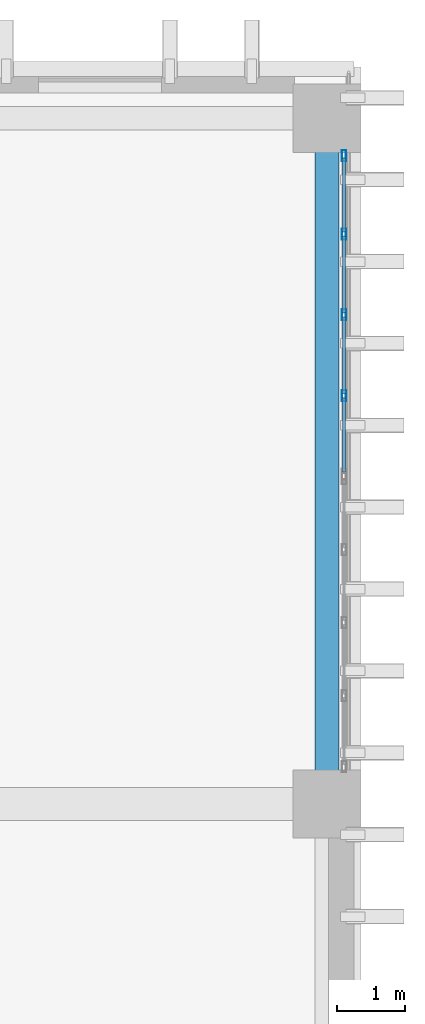
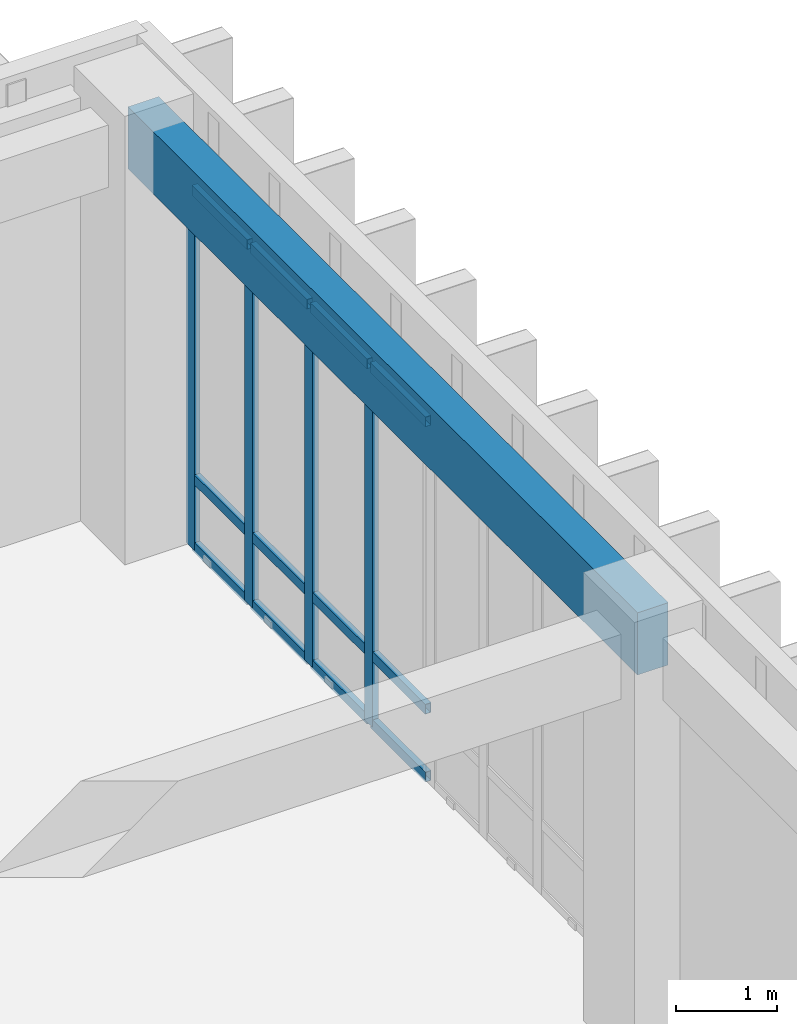
# One storey, part 87 of 134: 16 members, 1 beam, 1 element without a shape of its own.
"""IFC4 building model written with IfcOpenShell, lengths in metres."""

from ifc_helpers import new_model, si_unit, direction, frame, origin, origin_2d, place, context, subcontext, project, spatial, rectangle, hollow_rectangle, extrude, material, layer, layer_set, material_profile, profile_set, type_object, element, aggregate, save


model = new_model("IFC4")

# Units and contexts
model_context = context("Model", 3, precision=1e-05, world=origin(), true_north=direction((0.0, 1.0)))
body_context = subcontext(model_context, "Body", "Model", "MODEL_VIEW")
ifc_project = project(units=[si_unit("LENGTHUNIT", "METRE"), si_unit("AREAUNIT", "SQUARE_METRE"), si_unit("VOLUMEUNIT", "CUBIC_METRE"), si_unit("PLANEANGLEUNIT", "RADIAN"), si_unit("MASSUNIT", "GRAM", prefix="KILO")], contexts=[model_context])

# Site, building, storey
site_placement = place(None, origin())
site = spatial("IfcSite", under=ifc_project, at=site_placement, CompositionType="ELEMENT")
building_placement = place(site_placement, origin())
building = spatial("IfcBuilding", under=site, at=building_placement, Name="Nakhvara Creek Congress Hotel", CompositionType="ELEMENT")
storey_placement = place(building_placement, frame((0.0, 0.0, 6.0)))
storey = spatial("IfcBuildingStorey", under=building, at=storey_placement, Name="L01", CompositionType="ELEMENT", Elevation=6.0)

# Beam
ifc_material_1 = material(Name="Concrete C40/50", Category="concrete")
ifc_material_profile_1 = material_profile(ifc_material_1, rectangle(XDim=0.35009765625, YDim=0.75, at=origin_2d()), Name="RC-SPANDREL 350x750", Category="LoadBearing")
ifc_profile_set_1 = profile_set([ifc_material_profile_1], Name="Concrete C40/50")
beam_type = type_object("IfcBeamType", Name="BM-SPN-350X750", PredefinedType="SPANDREL", material=ifc_profile_set_1)
beam_placement = place(storey_placement, frame((179.35009765625, 115.199951171875, 4.72509765625), z_axis=(0.0, 1.0, 0.0), x_axis=(-1.0, 0.0, 0.0)))
element("IfcBeam", 1, at=beam_placement, inside=storey, type_object=beam_type, Name="Beam SP1-L01-1361", PredefinedType="SPANDREL", context=body_context, shape_type="SweptSolid", body=[
    extrude(rectangle(XDim=0.35009765625, YDim=0.75, at=origin_2d()), origin(), (0.0, 0.0, 1.0), 10.050048828125),
])

# Curtain wall, members
ifc_material_2 = material(Name="Bronze-anodised aluminium AW-6063-T6 and double-silver low-E glass", Category="aluminium")
ifc_layer = layer(ifc_material_2, 0.199951171875)
ifc_layer_set = layer_set([ifc_layer], Name="Bronze-anodised aluminium AW-6063-T6 and double-silver low-E glass")
curtain_wall_type = type_object("IfcCurtainWallType", Name="CW-HTL-UNIT", PredefinedType="USERDEFINED", material=ifc_layer_set)
curtain_wall_placement = place(storey_placement, origin())
curtain_wall = element("IfcCurtainWall", 2, at=curtain_wall_placement, inside=storey, type_object=curtain_wall_type, Name="Curtain Wall CW127", ObjectType="UNITISED", PredefinedType="USERDEFINED")
ifc_material_3 = material(Name="Bronze-anodised aluminium AW-6063-T6", Category="aluminium")
ifc_material_profile_2 = material_profile(ifc_material_3, hollow_rectangle(XDim=0.06494140625, YDim=0.159912109375, WallThickness=0.00390625, at=origin_2d()), Name="ALU-MULL 65x160x4", Category="LoadBearing")
ifc_profile_set_2 = profile_set([ifc_material_profile_2], Name="Bronze-anodised aluminium AW-6063-T6")
member_type_1 = type_object("IfcMemberType", Name="CW-MULL-160", PredefinedType="MULLION", material=ifc_profile_set_2)
member_1_placement = place(storey_placement, frame((179.60009765625, 124.702392578125, 0.0), z_axis=(0.0, 0.0, 1.0), x_axis=(1.0, 0.0, 0.0)))
member_1 = element("IfcMember", 3, at=member_1_placement, type_object=member_type_1, Name="CW127 mullion 1", PredefinedType="MULLION", context=body_context, shape_type="SweptSolid", body=[
    extrude(hollow_rectangle(XDim=0.06494140625, YDim=0.159912109375, WallThickness=0.00390625, at=origin_2d()), origin(), (0.0, 0.0, 1.0), 4.342041015625),
])
member_2_placement = place(storey_placement, frame((179.60009765625, 123.55126953125, 0.0), z_axis=(0.0, 0.0, 1.0), x_axis=(1.0, 0.0, 0.0)))
member_2 = element("IfcMember", 4, at=member_2_placement, type_object=member_type_1, Name="CW127 mullion 2", PredefinedType="MULLION", context=body_context, shape_type="SweptSolid", body=[
    extrude(hollow_rectangle(XDim=0.06494140625, YDim=0.159912109375, WallThickness=0.00390625, at=origin_2d()), origin(), (0.0, 0.0, 1.0), 4.342041015625),
])
member_3_placement = place(storey_placement, frame((179.60009765625, 122.367431640625, 0.0), z_axis=(0.0, 0.0, 1.0), x_axis=(1.0, 0.0, 0.0)))
member_3 = element("IfcMember", 5, at=member_3_placement, type_object=member_type_1, Name="CW127 mullion 3", PredefinedType="MULLION", context=body_context, shape_type="SweptSolid", body=[
    extrude(hollow_rectangle(XDim=0.06494140625, YDim=0.159912109375, WallThickness=0.00390625, at=origin_2d()), origin(), (0.0, 0.0, 1.0), 4.342041015625),
])
member_4_placement = place(storey_placement, frame((179.60009765625, 121.183837890625, 0.0), z_axis=(0.0, 0.0, 1.0), x_axis=(1.0, 0.0, 0.0)))
member_4 = element("IfcMember", 6, at=member_4_placement, type_object=member_type_1, Name="CW127 mullion 4", PredefinedType="MULLION", context=body_context, shape_type="SweptSolid", body=[
    extrude(hollow_rectangle(XDim=0.06494140625, YDim=0.159912109375, WallThickness=0.00390625, at=origin_2d()), origin(), (0.0, 0.0, 1.0), 4.342041015625),
])
ifc_material_profile_3 = material_profile(ifc_material_3, hollow_rectangle(XDim=0.06494140625, YDim=0.1201171875, WallThickness=0.00390625, at=origin_2d()), Name="ALU-TRAN 65x120x4", Category="LoadBearing")
ifc_profile_set_3 = profile_set([ifc_material_profile_3], Name="Bronze-anodised aluminium AW-6063-T6")
member_type_2 = type_object("IfcMemberType", Name="CW-TRAN-120", PredefinedType="USERDEFINED", material=ifc_profile_set_3)
member_5_placement = place(storey_placement, frame((179.60009765625, 124.669921875, 0.032470703125), z_axis=(0.0, -1.0, 0.0), x_axis=(1.0, 0.0, 0.0)))
member_5 = element("IfcMember", 7, at=member_5_placement, type_object=member_type_2, Name="CW127 transom 1.1", ObjectType="TRANSOM", PredefinedType="USERDEFINED", context=body_context, shape_type="SweptSolid", body=[
    extrude(hollow_rectangle(XDim=0.06494140625, YDim=0.1201171875, WallThickness=0.00390625, at=origin_2d()), origin(), (0.0, 0.0, 1.0), 1.086181640625),
])
member_6_placement = place(storey_placement, frame((179.60009765625, 124.669921875, 0.85009765625), z_axis=(0.0, -1.0, 0.0), x_axis=(1.0, 0.0, 0.0)))
member_6 = element("IfcMember", 8, at=member_6_placement, type_object=member_type_2, Name="CW127 transom 1.2", ObjectType="TRANSOM", PredefinedType="USERDEFINED", context=body_context, shape_type="SweptSolid", body=[
    extrude(hollow_rectangle(XDim=0.06494140625, YDim=0.1201171875, WallThickness=0.00390625, at=origin_2d()), origin(), (0.0, 0.0, 1.0), 1.086181640625),
])
member_7_placement = place(storey_placement, frame((179.60009765625, 124.669921875, 4.3095703125), z_axis=(0.0, -1.0, 0.0), x_axis=(1.0, 0.0, 0.0)))
member_7 = element("IfcMember", 9, at=member_7_placement, type_object=member_type_2, Name="CW127 transom 1.3", ObjectType="TRANSOM", PredefinedType="USERDEFINED", context=body_context, shape_type="SweptSolid", body=[
    extrude(hollow_rectangle(XDim=0.06494140625, YDim=0.1201171875, WallThickness=0.00390625, at=origin_2d()), origin(), (0.0, 0.0, 1.0), 1.086181640625),
])
member_8_placement = place(storey_placement, frame((179.60009765625, 123.518798828125, 0.032470703125), z_axis=(0.0, -1.0, 0.0), x_axis=(1.0, 0.0, 0.0)))
member_8 = element("IfcMember", 10, at=member_8_placement, type_object=member_type_2, Name="CW127 transom 2.1", ObjectType="TRANSOM", PredefinedType="USERDEFINED", context=body_context, shape_type="SweptSolid", body=[
    extrude(hollow_rectangle(XDim=0.06494140625, YDim=0.1201171875, WallThickness=0.00390625, at=origin_2d()), origin(), (0.0, 0.0, 1.0), 1.118896484375),
])
member_9_placement = place(storey_placement, frame((179.60009765625, 123.518798828125, 0.85009765625), z_axis=(0.0, -1.0, 0.0), x_axis=(1.0, 0.0, 0.0)))
member_9 = element("IfcMember", 11, at=member_9_placement, type_object=member_type_2, Name="CW127 transom 2.2", ObjectType="TRANSOM", PredefinedType="USERDEFINED", context=body_context, shape_type="SweptSolid", body=[
    extrude(hollow_rectangle(XDim=0.06494140625, YDim=0.1201171875, WallThickness=0.00390625, at=origin_2d()), origin(), (0.0, 0.0, 1.0), 1.118896484375),
])
member_10_placement = place(storey_placement, frame((179.60009765625, 123.518798828125, 4.3095703125), z_axis=(0.0, -1.0, 0.0), x_axis=(1.0, 0.0, 0.0)))
member_10 = element("IfcMember", 12, at=member_10_placement, type_object=member_type_2, Name="CW127 transom 2.3", ObjectType="TRANSOM", PredefinedType="USERDEFINED", context=body_context, shape_type="SweptSolid", body=[
    extrude(hollow_rectangle(XDim=0.06494140625, YDim=0.1201171875, WallThickness=0.00390625, at=origin_2d()), origin(), (0.0, 0.0, 1.0), 1.118896484375),
])
member_11_placement = place(storey_placement, frame((179.60009765625, 122.3349609375, 0.032470703125), z_axis=(0.0, -1.0, 0.0), x_axis=(1.0, 0.0, 0.0)))
member_11 = element("IfcMember", 13, at=member_11_placement, type_object=member_type_2, Name="CW127 transom 3.1", ObjectType="TRANSOM", PredefinedType="USERDEFINED", context=body_context, shape_type="SweptSolid", body=[
    extrude(hollow_rectangle(XDim=0.06494140625, YDim=0.1201171875, WallThickness=0.00390625, at=origin_2d()), origin(), (0.0, 0.0, 1.0), 1.11865234375),
])
member_12_placement = place(storey_placement, frame((179.60009765625, 122.3349609375, 0.85009765625), z_axis=(0.0, -1.0, 0.0), x_axis=(1.0, 0.0, 0.0)))
member_12 = element("IfcMember", 14, at=member_12_placement, type_object=member_type_2, Name="CW127 transom 3.2", ObjectType="TRANSOM", PredefinedType="USERDEFINED", context=body_context, shape_type="SweptSolid", body=[
    extrude(hollow_rectangle(XDim=0.06494140625, YDim=0.1201171875, WallThickness=0.00390625, at=origin_2d()), origin(), (0.0, 0.0, 1.0), 1.11865234375),
])
member_13_placement = place(storey_placement, frame((179.60009765625, 122.3349609375, 4.3095703125), z_axis=(0.0, -1.0, 0.0), x_axis=(1.0, 0.0, 0.0)))
member_13 = element("IfcMember", 15, at=member_13_placement, type_object=member_type_2, Name="CW127 transom 3.3", ObjectType="TRANSOM", PredefinedType="USERDEFINED", context=body_context, shape_type="SweptSolid", body=[
    extrude(hollow_rectangle(XDim=0.06494140625, YDim=0.1201171875, WallThickness=0.00390625, at=origin_2d()), origin(), (0.0, 0.0, 1.0), 1.11865234375),
])
member_14_placement = place(storey_placement, frame((179.60009765625, 121.1513671875, 0.032470703125), z_axis=(0.0, -1.0, 0.0), x_axis=(1.0, 0.0, 0.0)))
member_14 = element("IfcMember", 16, at=member_14_placement, type_object=member_type_2, Name="CW127 transom 4.1", ObjectType="TRANSOM", PredefinedType="USERDEFINED", context=body_context, shape_type="SweptSolid", body=[
    extrude(hollow_rectangle(XDim=0.06494140625, YDim=0.1201171875, WallThickness=0.00390625, at=origin_2d()), origin(), (0.0, 0.0, 1.0), 1.08642578125),
])
member_15_placement = place(storey_placement, frame((179.60009765625, 121.1513671875, 0.85009765625), z_axis=(0.0, -1.0, 0.0), x_axis=(1.0, 0.0, 0.0)))
member_15 = element("IfcMember", 17, at=member_15_placement, type_object=member_type_2, Name="CW127 transom 4.2", ObjectType="TRANSOM", PredefinedType="USERDEFINED", context=body_context, shape_type="SweptSolid", body=[
    extrude(hollow_rectangle(XDim=0.06494140625, YDim=0.1201171875, WallThickness=0.00390625, at=origin_2d()), origin(), (0.0, 0.0, 1.0), 1.08642578125),
])
member_16_placement = place(storey_placement, frame((179.60009765625, 121.1513671875, 4.3095703125), z_axis=(0.0, -1.0, 0.0), x_axis=(1.0, 0.0, 0.0)))
member_16 = element("IfcMember", 18, at=member_16_placement, type_object=member_type_2, Name="CW127 transom 4.3", ObjectType="TRANSOM", PredefinedType="USERDEFINED", context=body_context, shape_type="SweptSolid", body=[
    extrude(hollow_rectangle(XDim=0.06494140625, YDim=0.1201171875, WallThickness=0.00390625, at=origin_2d()), origin(), (0.0, 0.0, 1.0), 1.08642578125),
])
aggregate(curtain_wall, [member_1, member_2, member_3, member_4, member_5, member_6, member_7, member_8, member_9, member_10, member_11, member_12, member_13, member_14, member_15, member_16])

save(model, "model.ifc")
